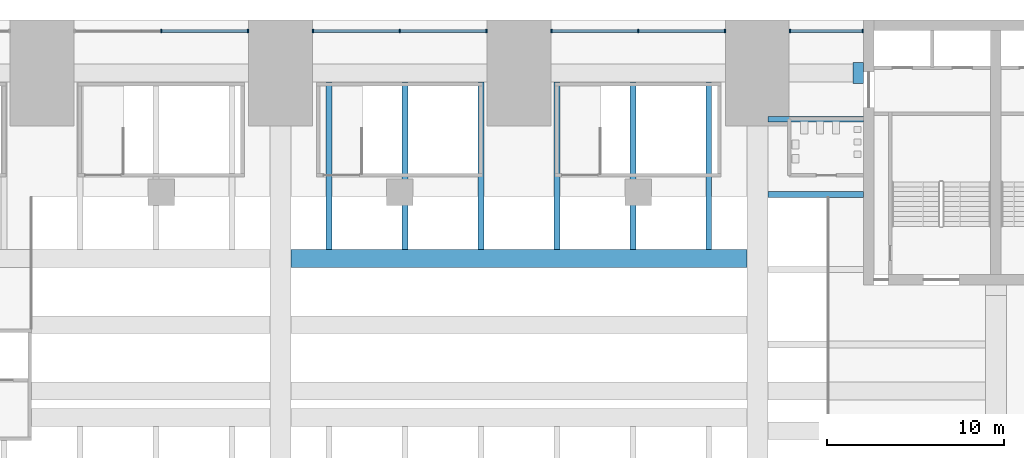
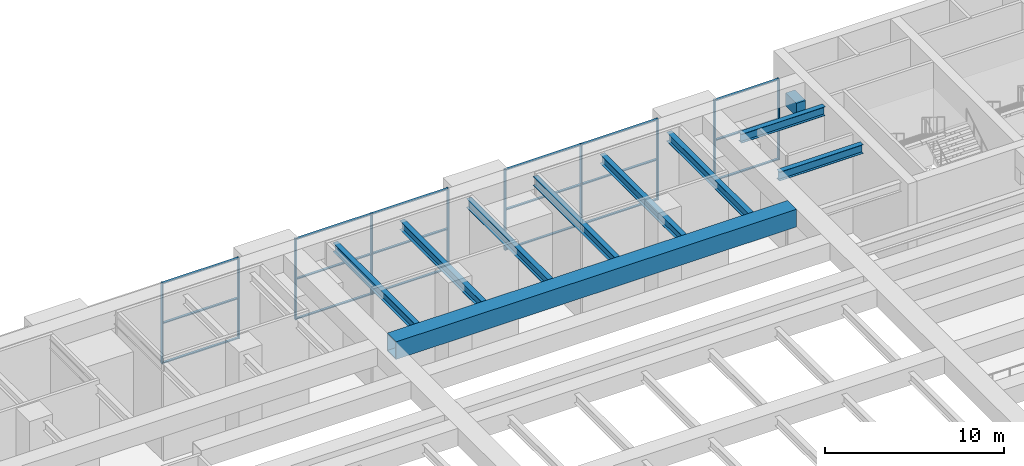
# One storey, part 21 of 45: 30 members, 8 beams, 4 elements without a shape of their own.
"""IFC4 building model written with IfcOpenShell, lengths in metres."""

from ifc_helpers import new_model, si_unit, direction, frame, origin, origin_2d, place, context, subcontext, project, spatial, rectangle, hollow_rectangle, i_section, extrude, material, layer, layer_set, material_profile, profile_set, type_object, element, aggregate, save


model = new_model("IFC4")

# Units and contexts
model_context = context("Model", 3, precision=1e-05, world=origin(), true_north=direction((0.0, 1.0)))
body_context = subcontext(model_context, "Body", "Model", "MODEL_VIEW")
ifc_project = project(units=[si_unit("LENGTHUNIT", "METRE"), si_unit("AREAUNIT", "SQUARE_METRE"), si_unit("VOLUMEUNIT", "CUBIC_METRE"), si_unit("PLANEANGLEUNIT", "RADIAN"), si_unit("MASSUNIT", "GRAM", prefix="KILO")], contexts=[model_context])

# Site, building, storey
site_placement = place(None, origin())
site = spatial("IfcSite", under=ifc_project, at=site_placement, CompositionType="ELEMENT")
building_placement = place(site_placement, origin())
building = spatial("IfcBuilding", under=site, at=building_placement, Name="Corbelhall Arena Tower", CompositionType="ELEMENT")
storey_placement = place(building_placement, frame((0.0, 0.0, 37.0)))
storey = spatial("IfcBuildingStorey", under=building, at=storey_placement, Name="L05", CompositionType="ELEMENT", Elevation=37.0)

# Curtain wall, members
ifc_material_1 = material(Name="Aluminium black anodised", Category="aluminium")
ifc_layer = layer(ifc_material_1, 0.239990234375)
ifc_layer_set = layer_set([ifc_layer], Name="EV-CW4 Arena concourse glazing")
curtain_wall_type = type_object("IfcCurtainWallType", Name="EV-CW4 Arena concourse glazing", PredefinedType="NOTDEFINED", material=ifc_layer_set)
curtain_wall_1_placement = place(storey_placement, origin())
curtain_wall_1 = element("IfcCurtainWall", 1, at=curtain_wall_1_placement, inside=storey, type_object=curtain_wall_type, Name="Curtain wall CW4A", PredefinedType="NOTDEFINED")
ifc_material_profile_1 = material_profile(ifc_material_1, rectangle(XDim=0.199951171875, YDim=0.074951171875, at=origin_2d()))
ifc_profile_set_1 = profile_set([ifc_material_profile_1], Name="Aluminium black anodised")
member_type_1 = type_object("IfcMemberType", Name="EV-CW4-MULLION", PredefinedType="MULLION", material=ifc_profile_set_1)
member_1_placement = place(storey_placement, frame((32.96240234375, 38.3798828125, 0.0), z_axis=(0.0, 0.0, 1.0), x_axis=(0.0, -1.0, 0.0)))
member_1 = element("IfcMember", 2, at=member_1_placement, type_object=member_type_1, Name="CW4A mullion 1", PredefinedType="MULLION", context=body_context, shape_type="SweptSolid", body=[
    extrude(rectangle(XDim=0.199951171875, YDim=0.074951171875, at=origin_2d()), origin(), (0.0, 0.0, 1.0), 5.5),
])
member_2_placement = place(storey_placement, frame((28.83740234375, 38.3798828125, 0.0), z_axis=(0.0, 0.0, 1.0), x_axis=(0.0, -1.0, 0.0)))
member_2 = element("IfcMember", 3, at=member_2_placement, type_object=member_type_1, Name="CW4A mullion 2", PredefinedType="MULLION", context=body_context, shape_type="SweptSolid", body=[
    extrude(rectangle(XDim=0.199951171875, YDim=0.074951171875, at=origin_2d()), origin(), (0.0, 0.0, 1.0), 5.5),
])

curtain_wall_2_placement = place(storey_placement, origin())
curtain_wall_2 = element("IfcCurtainWall", 4, at=curtain_wall_2_placement, inside=storey, type_object=curtain_wall_type, Name="Curtain wall CW4", PredefinedType="NOTDEFINED")
member_3_placement = place(storey_placement, frame((25.16259765625, 38.3798828125, 0.0), z_axis=(0.0, 0.0, 1.0), x_axis=(0.0, -1.0, 0.0)))
member_3 = element("IfcMember", 5, at=member_3_placement, type_object=member_type_1, Name="CW4 mullion 1", PredefinedType="MULLION", context=body_context, shape_type="SweptSolid", body=[
    extrude(rectangle(XDim=0.199951171875, YDim=0.074951171875, at=origin_2d()), origin(), (0.0, 0.0, 1.0), 5.5),
])
member_4_placement = place(storey_placement, frame((20.25, 38.3798828125, 0.0), z_axis=(0.0, 0.0, 1.0), x_axis=(0.0, -1.0, 0.0)))
member_4 = element("IfcMember", 6, at=member_4_placement, type_object=member_type_1, Name="CW4 mullion 2", PredefinedType="MULLION", context=body_context, shape_type="SweptSolid", body=[
    extrude(rectangle(XDim=0.199951171875, YDim=0.074951171875, at=origin_2d()), origin(), (0.0, 0.0, 1.0), 5.5),
])
member_5_placement = place(storey_placement, frame((15.33740234375, 38.3798828125, 0.0), z_axis=(0.0, 0.0, 1.0), x_axis=(0.0, -1.0, 0.0)))
member_5 = element("IfcMember", 7, at=member_5_placement, type_object=member_type_1, Name="CW4 mullion 3", PredefinedType="MULLION", context=body_context, shape_type="SweptSolid", body=[
    extrude(rectangle(XDim=0.199951171875, YDim=0.074951171875, at=origin_2d()), origin(), (0.0, 0.0, 1.0), 5.5),
])

curtain_wall_3_placement = place(storey_placement, origin())
curtain_wall_3 = element("IfcCurtainWall", 8, at=curtain_wall_3_placement, inside=storey, type_object=curtain_wall_type, Name="Curtain wall CW4", PredefinedType="NOTDEFINED")
member_6_placement = place(storey_placement, frame((11.66259765625, 38.3798828125, 0.0), z_axis=(0.0, 0.0, 1.0), x_axis=(0.0, -1.0, 0.0)))
member_6 = element("IfcMember", 9, at=member_6_placement, type_object=member_type_1, Name="CW4 mullion 1", PredefinedType="MULLION", context=body_context, shape_type="SweptSolid", body=[
    extrude(rectangle(XDim=0.199951171875, YDim=0.074951171875, at=origin_2d()), origin(), (0.0, 0.0, 1.0), 5.5),
])
member_7_placement = place(storey_placement, frame((6.75, 38.3798828125, 0.0), z_axis=(0.0, 0.0, 1.0), x_axis=(0.0, -1.0, 0.0)))
member_7 = element("IfcMember", 10, at=member_7_placement, type_object=member_type_1, Name="CW4 mullion 2", PredefinedType="MULLION", context=body_context, shape_type="SweptSolid", body=[
    extrude(rectangle(XDim=0.199951171875, YDim=0.074951171875, at=origin_2d()), origin(), (0.0, 0.0, 1.0), 5.5),
])
member_8_placement = place(storey_placement, frame((1.83740234375, 38.3798828125, 0.0), z_axis=(0.0, 0.0, 1.0), x_axis=(0.0, -1.0, 0.0)))
member_8 = element("IfcMember", 11, at=member_8_placement, type_object=member_type_1, Name="CW4 mullion 3", PredefinedType="MULLION", context=body_context, shape_type="SweptSolid", body=[
    extrude(rectangle(XDim=0.199951171875, YDim=0.074951171875, at=origin_2d()), origin(), (0.0, 0.0, 1.0), 5.5),
])

curtain_wall_4_placement = place(storey_placement, origin())
curtain_wall_4 = element("IfcCurtainWall", 12, at=curtain_wall_4_placement, inside=storey, type_object=curtain_wall_type, Name="Curtain wall CW4", PredefinedType="NOTDEFINED")
member_9_placement = place(storey_placement, frame((-1.83740234375, 38.3798828125, 0.0), z_axis=(0.0, 0.0, 1.0), x_axis=(0.0, -1.0, 0.0)))
member_9 = element("IfcMember", 13, at=member_9_placement, type_object=member_type_1, Name="CW4 mullion 1", PredefinedType="MULLION", context=body_context, shape_type="SweptSolid", body=[
    extrude(rectangle(XDim=0.199951171875, YDim=0.074951171875, at=origin_2d()), origin(), (0.0, 0.0, 1.0), 5.5),
])
member_10_placement = place(storey_placement, frame((-6.75, 38.3798828125, 0.0), z_axis=(0.0, 0.0, 1.0), x_axis=(0.0, -1.0, 0.0)))
member_10 = element("IfcMember", 14, at=member_10_placement, type_object=member_type_1, Name="CW4 mullion 2", PredefinedType="MULLION", context=body_context, shape_type="SweptSolid", body=[
    extrude(rectangle(XDim=0.199951171875, YDim=0.074951171875, at=origin_2d()), origin(), (0.0, 0.0, 1.0), 5.5),
])

# Member
ifc_material_profile_2 = material_profile(ifc_material_1, rectangle(XDim=0.14990234375, YDim=0.074951171875, at=origin_2d()))
ifc_profile_set_2 = profile_set([ifc_material_profile_2], Name="Aluminium black anodised")
member_type_2 = type_object("IfcMemberType", Name="EV-CW4-TRANSOM", PredefinedType="USERDEFINED", material=ifc_profile_set_2)
member_11_placement = place(storey_placement, frame((32.925048828125, 38.3798828125, 0.03759765625), z_axis=(-1.0, 0.0, 0.0), x_axis=(0.0, -1.0, 0.0)))
member_11 = element("IfcMember", 15, at=member_11_placement, type_object=member_type_2, Name="CW4A transom 1.1", ObjectType="transom", PredefinedType="USERDEFINED", context=body_context, shape_type="SweptSolid", body=[
    extrude(rectangle(XDim=0.14990234375, YDim=0.074951171875, at=origin_2d()), origin(), (0.0, 0.0, 1.0), 4.050048828125),
])

member_12_placement = place(storey_placement, frame((32.925048828125, 38.3798828125, 2.75), z_axis=(-1.0, 0.0, 0.0), x_axis=(0.0, -1.0, 0.0)))
member_12 = element("IfcMember", 16, at=member_12_placement, type_object=member_type_2, Name="CW4A transom 1.2", ObjectType="transom", PredefinedType="USERDEFINED", context=body_context, shape_type="SweptSolid", body=[
    extrude(rectangle(XDim=0.14990234375, YDim=0.074951171875, at=origin_2d()), origin(), (0.0, 0.0, 1.0), 4.050048828125),
])

member_13_placement = place(storey_placement, frame((32.925048828125, 38.3798828125, 5.46240234375), z_axis=(-1.0, 0.0, 0.0), x_axis=(0.0, -1.0, 0.0)))
member_13 = element("IfcMember", 17, at=member_13_placement, type_object=member_type_2, Name="CW4A transom 1.3", ObjectType="transom", PredefinedType="USERDEFINED", context=body_context, shape_type="SweptSolid", body=[
    extrude(rectangle(XDim=0.14990234375, YDim=0.074951171875, at=origin_2d()), origin(), (0.0, 0.0, 1.0), 4.050048828125),
])

aggregate(curtain_wall_1, [member_1, member_2, member_11, member_12, member_13])

member_14_placement = place(storey_placement, frame((25.125, 38.3798828125, 0.03759765625), z_axis=(-1.0, 0.0, 0.0), x_axis=(0.0, -1.0, 0.0)))
member_14 = element("IfcMember", 18, at=member_14_placement, type_object=member_type_2, Name="CW4 transom 1.1", ObjectType="transom", PredefinedType="USERDEFINED", context=body_context, shape_type="SweptSolid", body=[
    extrude(rectangle(XDim=0.14990234375, YDim=0.074951171875, at=origin_2d()), origin(), (0.0, 0.0, 1.0), 4.83740234375),
])

member_15_placement = place(storey_placement, frame((25.125, 38.3798828125, 2.75), z_axis=(-1.0, 0.0, 0.0), x_axis=(0.0, -1.0, 0.0)))
member_15 = element("IfcMember", 19, at=member_15_placement, type_object=member_type_2, Name="CW4 transom 1.2", ObjectType="transom", PredefinedType="USERDEFINED", context=body_context, shape_type="SweptSolid", body=[
    extrude(rectangle(XDim=0.14990234375, YDim=0.074951171875, at=origin_2d()), origin(), (0.0, 0.0, 1.0), 4.83740234375),
])

member_16_placement = place(storey_placement, frame((25.125, 38.3798828125, 5.46240234375), z_axis=(-1.0, 0.0, 0.0), x_axis=(0.0, -1.0, 0.0)))
member_16 = element("IfcMember", 20, at=member_16_placement, type_object=member_type_2, Name="CW4 transom 1.3", ObjectType="transom", PredefinedType="USERDEFINED", context=body_context, shape_type="SweptSolid", body=[
    extrude(rectangle(XDim=0.14990234375, YDim=0.074951171875, at=origin_2d()), origin(), (0.0, 0.0, 1.0), 4.83740234375),
])

member_17_placement = place(storey_placement, frame((20.21240234375, 38.3798828125, 0.03759765625), z_axis=(-1.0, 0.0, 0.0), x_axis=(0.0, -1.0, 0.0)))
member_17 = element("IfcMember", 21, at=member_17_placement, type_object=member_type_2, Name="CW4 transom 2.1", ObjectType="transom", PredefinedType="USERDEFINED", context=body_context, shape_type="SweptSolid", body=[
    extrude(rectangle(XDim=0.14990234375, YDim=0.074951171875, at=origin_2d()), origin(), (0.0, 0.0, 1.0), 4.83740234375),
])

member_18_placement = place(storey_placement, frame((20.21240234375, 38.3798828125, 2.75), z_axis=(-1.0, 0.0, 0.0), x_axis=(0.0, -1.0, 0.0)))
member_18 = element("IfcMember", 22, at=member_18_placement, type_object=member_type_2, Name="CW4 transom 2.2", ObjectType="transom", PredefinedType="USERDEFINED", context=body_context, shape_type="SweptSolid", body=[
    extrude(rectangle(XDim=0.14990234375, YDim=0.074951171875, at=origin_2d()), origin(), (0.0, 0.0, 1.0), 4.83740234375),
])

member_19_placement = place(storey_placement, frame((20.21240234375, 38.3798828125, 5.46240234375), z_axis=(-1.0, 0.0, 0.0), x_axis=(0.0, -1.0, 0.0)))
member_19 = element("IfcMember", 23, at=member_19_placement, type_object=member_type_2, Name="CW4 transom 2.3", ObjectType="transom", PredefinedType="USERDEFINED", context=body_context, shape_type="SweptSolid", body=[
    extrude(rectangle(XDim=0.14990234375, YDim=0.074951171875, at=origin_2d()), origin(), (0.0, 0.0, 1.0), 4.83740234375),
])

aggregate(curtain_wall_2, [member_3, member_4, member_5, member_14, member_15, member_16, member_17, member_18, member_19])

member_20_placement = place(storey_placement, frame((11.625, 38.3798828125, 0.03759765625), z_axis=(-1.0, 0.0, 0.0), x_axis=(0.0, -1.0, 0.0)))
member_20 = element("IfcMember", 24, at=member_20_placement, type_object=member_type_2, Name="CW4 transom 1.1", ObjectType="transom", PredefinedType="USERDEFINED", context=body_context, shape_type="SweptSolid", body=[
    extrude(rectangle(XDim=0.14990234375, YDim=0.074951171875, at=origin_2d()), origin(), (0.0, 0.0, 1.0), 4.83740234375),
])

member_21_placement = place(storey_placement, frame((11.625, 38.3798828125, 2.75), z_axis=(-1.0, 0.0, 0.0), x_axis=(0.0, -1.0, 0.0)))
member_21 = element("IfcMember", 25, at=member_21_placement, type_object=member_type_2, Name="CW4 transom 1.2", ObjectType="transom", PredefinedType="USERDEFINED", context=body_context, shape_type="SweptSolid", body=[
    extrude(rectangle(XDim=0.14990234375, YDim=0.074951171875, at=origin_2d()), origin(), (0.0, 0.0, 1.0), 4.83740234375),
])

member_22_placement = place(storey_placement, frame((11.625, 38.3798828125, 5.46240234375), z_axis=(-1.0, 0.0, 0.0), x_axis=(0.0, -1.0, 0.0)))
member_22 = element("IfcMember", 26, at=member_22_placement, type_object=member_type_2, Name="CW4 transom 1.3", ObjectType="transom", PredefinedType="USERDEFINED", context=body_context, shape_type="SweptSolid", body=[
    extrude(rectangle(XDim=0.14990234375, YDim=0.074951171875, at=origin_2d()), origin(), (0.0, 0.0, 1.0), 4.83740234375),
])

member_23_placement = place(storey_placement, frame((6.71240234375, 38.3798828125, 0.03759765625), z_axis=(-1.0, 0.0, 0.0), x_axis=(0.0, -1.0, 0.0)))
member_23 = element("IfcMember", 27, at=member_23_placement, type_object=member_type_2, Name="CW4 transom 2.1", ObjectType="transom", PredefinedType="USERDEFINED", context=body_context, shape_type="SweptSolid", body=[
    extrude(rectangle(XDim=0.14990234375, YDim=0.074951171875, at=origin_2d()), origin(), (0.0, 0.0, 1.0), 4.83740234375),
])

member_24_placement = place(storey_placement, frame((6.71240234375, 38.3798828125, 2.75), z_axis=(-1.0, 0.0, 0.0), x_axis=(0.0, -1.0, 0.0)))
member_24 = element("IfcMember", 28, at=member_24_placement, type_object=member_type_2, Name="CW4 transom 2.2", ObjectType="transom", PredefinedType="USERDEFINED", context=body_context, shape_type="SweptSolid", body=[
    extrude(rectangle(XDim=0.14990234375, YDim=0.074951171875, at=origin_2d()), origin(), (0.0, 0.0, 1.0), 4.83740234375),
])

member_25_placement = place(storey_placement, frame((6.71240234375, 38.3798828125, 5.46240234375), z_axis=(-1.0, 0.0, 0.0), x_axis=(0.0, -1.0, 0.0)))
member_25 = element("IfcMember", 29, at=member_25_placement, type_object=member_type_2, Name="CW4 transom 2.3", ObjectType="transom", PredefinedType="USERDEFINED", context=body_context, shape_type="SweptSolid", body=[
    extrude(rectangle(XDim=0.14990234375, YDim=0.074951171875, at=origin_2d()), origin(), (0.0, 0.0, 1.0), 4.83740234375),
])

aggregate(curtain_wall_3, [member_6, member_7, member_8, member_20, member_21, member_22, member_23, member_24, member_25])

member_26_placement = place(storey_placement, frame((-1.875, 38.3798828125, 0.03759765625), z_axis=(-1.0, 0.0, 0.0), x_axis=(0.0, -1.0, 0.0)))
member_26 = element("IfcMember", 30, at=member_26_placement, type_object=member_type_2, Name="CW4 transom 1.1", ObjectType="transom", PredefinedType="USERDEFINED", context=body_context, shape_type="SweptSolid", body=[
    extrude(rectangle(XDim=0.14990234375, YDim=0.074951171875, at=origin_2d()), origin(), (0.0, 0.0, 1.0), 4.83740234375),
])

member_27_placement = place(storey_placement, frame((-1.875, 38.3798828125, 2.75), z_axis=(-1.0, 0.0, 0.0), x_axis=(0.0, -1.0, 0.0)))
member_27 = element("IfcMember", 31, at=member_27_placement, type_object=member_type_2, Name="CW4 transom 1.2", ObjectType="transom", PredefinedType="USERDEFINED", context=body_context, shape_type="SweptSolid", body=[
    extrude(rectangle(XDim=0.14990234375, YDim=0.074951171875, at=origin_2d()), origin(), (0.0, 0.0, 1.0), 4.83740234375),
])

member_28_placement = place(storey_placement, frame((-1.875, 38.3798828125, 5.46240234375), z_axis=(-1.0, 0.0, 0.0), x_axis=(0.0, -1.0, 0.0)))
member_28 = element("IfcMember", 32, at=member_28_placement, type_object=member_type_2, Name="CW4 transom 1.3", ObjectType="transom", PredefinedType="USERDEFINED", context=body_context, shape_type="SweptSolid", body=[
    extrude(rectangle(XDim=0.14990234375, YDim=0.074951171875, at=origin_2d()), origin(), (0.0, 0.0, 1.0), 4.83740234375),
])

aggregate(curtain_wall_4, [member_9, member_10, member_26, member_27, member_28])

# Beams
ifc_material_2 = material(Name="Steel ASTM A992 Gr50", Category="steel")
ifc_material_profile_3 = material_profile(ifc_material_2, i_section(OverallWidth=0.323974609375, OverallDepth=0.611083984375, WebThickness=0.0126953125, FlangeThickness=0.01904296875, at=origin_2d()))
ifc_profile_set_3 = profile_set([ifc_material_profile_3], Name="Steel ASTM A992 Gr50")
beam_type = type_object("IfcBeamType", Name="PO-BEAM-W24X104", PredefinedType="BEAM", material=ifc_profile_set_3)
for number, where, z_axis, x_axis, name in (
    (33, (2.75, 26.0, 6.39453125), (0.0, 1.0, 0.0), (-1.0, 0.0, 0.0), "DECK BEAM BOT 39.1"),
    (34, (7.050048828125, 26.0, 6.39453125), (0.0, 1.0, 0.0), (-1.0, 0.0, 0.0), "DECK BEAM BOT 39.2"),
    (35, (11.35009765625, 26.0, 6.39453125), (0.0, 1.0, 0.0), (-1.0, 0.0, 0.0), "DECK BEAM BOT 39.3"),
    (36, (15.64990234375, 26.0, 6.39453125), (0.0, 1.0, 0.0), (-1.0, 0.0, 0.0), "DECK BEAM BOT 39.4"),
    (37, (19.949951171875, 26.0, 6.39453125), (0.0, 1.0, 0.0), (-1.0, 0.0, 0.0), "DECK BEAM BOT 39.5"),
    (38, (24.25, 26.0, 6.39453125), (0.0, 1.0, 0.0), (-1.0, 0.0, 0.0), "DECK BEAM BOT 39.6"),
):
    element("IfcBeam", number, at=place(storey_placement, frame(where, z_axis=z_axis, x_axis=x_axis)), inside=storey, type_object=beam_type, Name=name, PredefinedType="BEAM", context=body_context, shape_type="SweptSolid", body=[
        extrude(i_section(OverallWidth=0.323974609375, OverallDepth=0.611083984375, WebThickness=0.0126953125, FlangeThickness=0.01904296875, at=origin_2d()), origin(), (0.0, 0.0, 1.0), 9.5),
    ])
for number, where, z_axis, x_axis, name in (
    (39, (27.60009765625, 29.125, 6.39453125), (1.0, 0.0, 0.0), (0.0, 1.0, 0.0), "DECK BEAM BOT 41.3"),
    (40, (27.60009765625, 33.375, 6.39453125), (1.0, 0.0, 0.0), (0.0, 1.0, 0.0), "DECK BEAM BOT 41.4"),
):
    element("IfcBeam", number, at=place(storey_placement, frame(where, z_axis=z_axis, x_axis=x_axis)), inside=storey, type_object=beam_type, Name=name, PredefinedType="BEAM", context=body_context, shape_type="SweptSolid", body=[
        extrude(i_section(OverallWidth=0.323974609375, OverallDepth=0.611083984375, WebThickness=0.0126953125, FlangeThickness=0.01904296875, at=origin_2d()), origin(), (0.0, 0.0, 1.0), 5.39990234375),
    ])

# Members
ifc_material_3 = material(Name="Steel ASTM A572 Gr50", Category="steel")
ifc_material_profile_4 = material_profile(ifc_material_3, hollow_rectangle(XDim=1.0, YDim=1.199951171875, WallThickness=0.06005859375, at=origin_2d()))
ifc_profile_set_4 = profile_set([ifc_material_profile_4], Name="Steel ASTM A572 Gr50")
member_type_3 = type_object("IfcMemberType", Name="PO-CHORD-1200X1000X60", PredefinedType="CHORD", material=ifc_profile_set_4)
member_29_placement = place(storey_placement, frame((0.60009765625, 25.5, 6.39990234375), z_axis=(1.0, 0.0, 0.0), x_axis=(0.0, 1.0, 0.0)))
element("IfcMember", 41, at=member_29_placement, inside=storey, type_object=member_type_3, Name="TRUSS SEC-N25.50-2 BOT CHORD", PredefinedType="CHORD", context=body_context, shape_type="SweptSolid", body=[
    extrude(hollow_rectangle(XDim=1.0, YDim=1.199951171875, WallThickness=0.06005859375, at=origin_2d()), origin(), (0.0, 0.0, 1.0), 25.7998046875),
])
ifc_material_4 = material(Name="Concrete C80/95", Category="concrete")
ifc_material_profile_5 = material_profile(ifc_material_4, rectangle(XDim=1.199951171875, YDim=0.89990234375, at=origin_2d()))
ifc_profile_set_5 = profile_set([ifc_material_profile_5], Name="Concrete C80/95")
member_type_4 = type_object("IfcMemberType", Name="PO-CORBEL", PredefinedType="MEMBER", material=ifc_profile_set_5)
member_30_placement = place(storey_placement, frame((33.0, 36.0, 5.35009765625), z_axis=(-1.0, 0.0, 0.0), x_axis=(0.0, -1.0, 0.0)))
element("IfcMember", 42, at=member_30_placement, inside=storey, type_object=member_type_4, Name="CORBEL NE EDGENS", PredefinedType="MEMBER", context=body_context, shape_type="SweptSolid", body=[
    extrude(rectangle(XDim=1.199951171875, YDim=0.89990234375, at=origin_2d()), origin(), (0.0, 0.0, 1.0), 0.60009765625),
])

save(model, "model.ifc")
